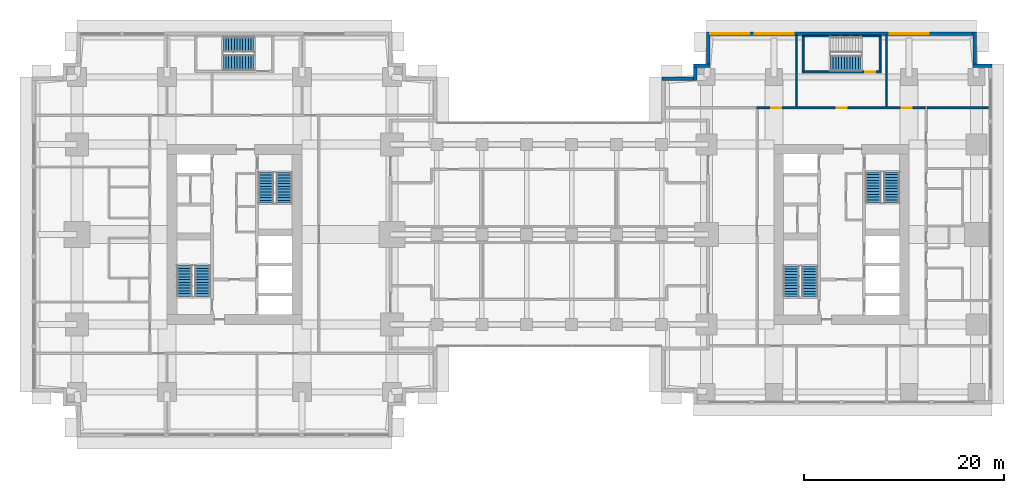
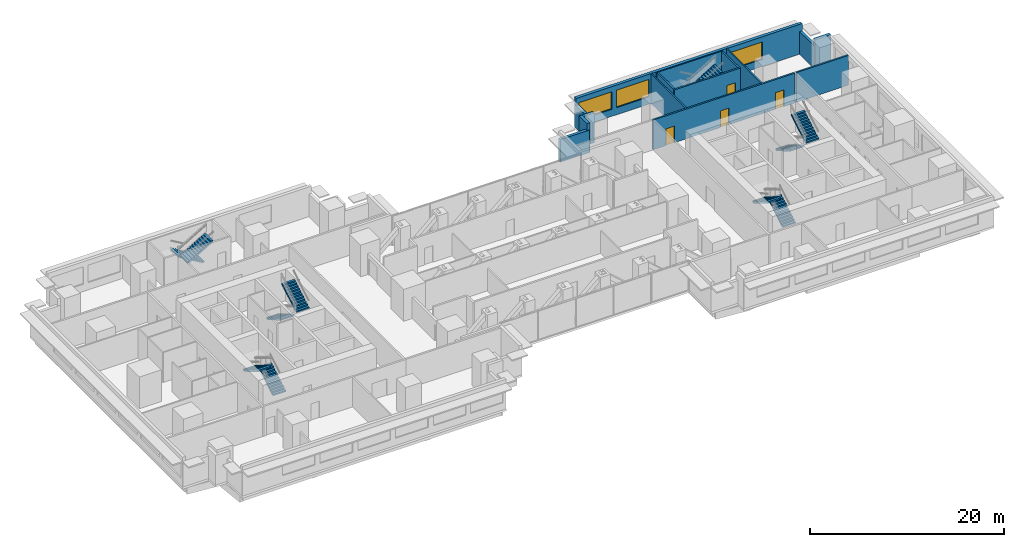
# One storey, part 12 of 16: 15 walls, 11 stair flights, 4 doors, 3 windows, 7 openings, 6 elements without a shape of their own.
"""IFC4 building model written with IfcOpenShell, lengths in metres."""

from ifc_helpers import new_model, si_unit, direction, frame, frame_2d, origin, place, context, subcontext, project, spatial, polyline, rectangle, outline, extrude, material, layer, layer_set, type_object, element, fill, aggregate, save


model = new_model("IFC4")

# Units and contexts
model_context = context("Model", 3, precision=1e-05, world=origin(), true_north=direction((0.0, 1.0)))
body_context = subcontext(model_context, "Body", "Model", "MODEL_VIEW")
ifc_project = project(units=[si_unit("LENGTHUNIT", "METRE"), si_unit("AREAUNIT", "SQUARE_METRE"), si_unit("VOLUMEUNIT", "CUBIC_METRE"), si_unit("PLANEANGLEUNIT", "RADIAN"), si_unit("MASSUNIT", "GRAM", prefix="KILO")], contexts=[model_context])

# Site, building, storey
site_placement = place(None, origin())
site = spatial("IfcSite", under=ifc_project, at=site_placement, CompositionType="ELEMENT")
building_placement = place(site_placement, origin())
building = spatial("IfcBuilding", under=site, at=building_placement, Name="Namib Vertical Campus", CompositionType="ELEMENT")
storey_placement = place(building_placement, frame((0.0, 0.0, 113.0)))
storey = spatial("IfcBuildingStorey", under=building, at=storey_placement, Name="L26", CompositionType="ELEMENT", Elevation=113.0)

# Wall, openings, doors
ifc_material_1 = material(Name="Concrete masonry", Category="masonry")
ifc_layer_1 = layer(ifc_material_1, 0.199951171875)
ifc_layer_set_1 = layer_set([ifc_layer_1], Name="Corridor wall 200")
wall_type_1 = type_object("IfcWallType", Name="Corridor wall 200", PredefinedType="SOLIDWALL", material=ifc_layer_set_1)
wall_1_placement = place(storey_placement, frame((89.35009765625, 32.89990234375, 0.0), z_axis=(0.0, 0.0, 1.0), x_axis=(-1.0, 0.0, 0.0)))
wall_1 = element("IfcWall", 1, at=wall_1_placement, inside=storey, type_object=wall_type_1, Name="Corridor wall B L26 CN", PredefinedType="SOLIDWALL", context=body_context, shape_type="SweptSolid", body=[
    extrude(rectangle(XDim=16.900146484375, YDim=0.199951171875, at=frame_2d((8.4501953125, 0.0))), origin(), (0.0, 0.0, 1.0), 3.75),
])
opening_1_placement = place(wall_1_placement, frame((14.375, 0.0, 0.0)))
opening_1 = element("IfcOpeningElement", 2, at=opening_1_placement, cuts=wall_1, Name="Opening CD1", PredefinedType="OPENING", context=body_context, shape_type="SweptSolid", body=[
    extrude(rectangle(XDim=1.0, YDim=2.10009765625, at=frame_2d((0.5, 1.050048828125))), frame((0.0, 0.10986328125, 0.0), z_axis=(0.0, -1.0, 0.0), x_axis=(1.0, 0.0, 0.0)), (0.0, 0.0, 1.0), 0.219970703125),
])
opening_2_placement = place(wall_1_placement, frame((7.85009765625, 0.0, 0.0)))
opening_2 = element("IfcOpeningElement", 3, at=opening_2_placement, cuts=wall_1, Name="Opening CD1", PredefinedType="OPENING", context=body_context, shape_type="SweptSolid", body=[
    extrude(rectangle(XDim=1.0, YDim=2.10009765625, at=frame_2d((0.5, 1.050048828125))), frame((0.0, 0.10986328125, 0.0), z_axis=(0.0, -1.0, 0.0), x_axis=(1.0, 0.0, 0.0)), (0.0, 0.0, 1.0), 0.219970703125),
])
opening_3_placement = place(wall_1_placement, frame((1.324951171875, 0.0, 0.0)))
opening_3 = element("IfcOpeningElement", 4, at=opening_3_placement, cuts=wall_1, Name="Opening CD1", PredefinedType="OPENING", context=body_context, shape_type="SweptSolid", body=[
    extrude(rectangle(XDim=1.0, YDim=2.10009765625, at=frame_2d((0.5, 1.050048828125))), frame((0.0, 0.10986328125, 0.0), z_axis=(0.0, -1.0, 0.0), x_axis=(1.0, 0.0, 0.0)), (0.0, 0.0, 1.0), 0.219970703125),
])
ifc_material_2 = material(Name="Timber fire door leaf", Category="wood")
door_type_1 = type_object("IfcDoorType", Name="Corridor door 1000x2100 20 min", OperationType="SINGLE_SWING_LEFT", PredefinedType="DOOR", material=ifc_material_2)
door_1_placement = place(opening_1_placement, frame((1.0, 0.0, 0.0), z_axis=(0.0, 0.0, 1.0), x_axis=(-1.0, 0.0, 0.0)))
door_1 = element("IfcDoor", 5, at=door_1_placement, inside=storey, type_object=door_type_1, Name="Door CD1 B26-11", OperationType="SINGLE_SWING_RIGHT", OverallHeight=2.10009765625, OverallWidth=1.0, PredefinedType="DOOR", context=body_context, shape_type="SweptSolid", body=[
    extrude(rectangle(XDim=1.0, YDim=2.10009765625, at=frame_2d((0.5, 1.050048828125))), frame((0.0, 0.02490234375, 0.0), z_axis=(0.0, -1.0, 0.0), x_axis=(1.0, 0.0, 0.0)), (0.0, 0.0, 1.0), 0.050048828125),
])
fill(opening_1, door_1)
door_2_placement = place(opening_2_placement, frame((1.0, 0.0, 0.0), z_axis=(0.0, 0.0, 1.0), x_axis=(-1.0, 0.0, 0.0)))
door_2 = element("IfcDoor", 6, at=door_2_placement, inside=storey, type_object=door_type_1, Name="Door CD1 B26-12", OperationType="SINGLE_SWING_RIGHT", OverallHeight=2.10009765625, OverallWidth=1.0, PredefinedType="DOOR", context=body_context, shape_type="SweptSolid", body=[
    extrude(rectangle(XDim=1.0, YDim=2.10009765625, at=frame_2d((0.5, 1.050048828125))), frame((0.0, 0.02490234375, 0.0), z_axis=(0.0, -1.0, 0.0), x_axis=(1.0, 0.0, 0.0)), (0.0, 0.0, 1.0), 0.050048828125),
])
fill(opening_2, door_2)
door_3_placement = place(opening_3_placement, frame((1.0, 0.0, 0.0), z_axis=(0.0, 0.0, 1.0), x_axis=(-1.0, 0.0, 0.0)))
door_3 = element("IfcDoor", 7, at=door_3_placement, inside=storey, type_object=door_type_1, Name="Door CD1 B26-13", OperationType="SINGLE_SWING_LEFT", OverallHeight=2.10009765625, OverallWidth=1.0, PredefinedType="DOOR", context=body_context, shape_type="SweptSolid", body=[
    extrude(rectangle(XDim=1.0, YDim=2.10009765625, at=frame_2d((0.5, 1.050048828125))), frame((0.0, 0.02490234375, 0.0), z_axis=(0.0, -1.0, 0.0), x_axis=(1.0, 0.0, 0.0)), (0.0, 0.0, 1.0), 0.050048828125),
])
fill(opening_3, door_3)

# Walls
wall_2_placement = place(storey_placement, frame((89.550048828125, 32.89990234375, 0.0), z_axis=(0.0, 0.0, 1.0), x_axis=(1.0, 0.0, 0.0)))
element("IfcWall", 8, at=wall_2_placement, inside=storey, type_object=wall_type_1, Name="Partition B L26 BNE", PredefinedType="SOLIDWALL", context=body_context, shape_type="SweptSolid", body=[
    extrude(rectangle(XDim=6.199951171875, YDim=0.199951171875, at=frame_2d((3.10009765625, 0.0))), origin(), (0.0, 0.0, 1.0), 3.75),
])
ifc_material_3 = material(Name="Concrete C40/50", Category="concrete")
ifc_layer_2 = layer(ifc_material_3, 0.35009765625)
ifc_layer_set_2 = layer_set([ifc_layer_2], Name="Concrete C40/50")
wall_type_2 = type_object("IfcWallType", Name="External wall 350 bush-hammered concrete", PredefinedType="STANDARD", material=ifc_layer_set_2)
wall_3_placement = place(storey_placement, frame((96.030029296875, 37.125, 0.0), z_axis=(0.0, 0.0, 1.0), x_axis=(-1.0, 0.0, 0.0)))
element("IfcWall", 9, at=wall_3_placement, inside=storey, type_object=wall_type_2, Name="External wall L26 F06", PredefinedType="STANDARD", context=body_context, shape_type="SweptSolid", body=[
    extrude(rectangle(XDim=1.860107421875, YDim=0.35009765625, at=frame_2d((0.93017578125, 0.0))), origin(), (0.0, 0.0, 1.0), 3.75),
])
wall_4_placement = place(storey_placement, frame((94.324951171875, 36.969970703125, 0.0), z_axis=(0.0, 0.0, 1.0), x_axis=(0.0, 1.0, 0.0)))
element("IfcWall", 10, at=wall_4_placement, inside=storey, type_object=wall_type_2, Name="External wall L26 F07", PredefinedType="STANDARD", context=body_context, shape_type="SweptSolid", body=[
    extrude(rectangle(XDim=3.510009765625, YDim=0.35009765625, at=frame_2d((1.7548828125, 0.0))), origin(), (0.0, 0.0, 1.0), 2.85009765625),
])

# Wall, openings, windows
wall_5_placement = place(storey_placement, frame((94.47998046875, 40.324951171875, 0.0), z_axis=(0.0, 0.0, 1.0), x_axis=(-1.0, 0.0, 0.0)))
wall_5 = element("IfcWall", 11, at=wall_5_placement, inside=storey, type_object=wall_type_2, Name="External wall L26 F08", PredefinedType="STANDARD", context=body_context, shape_type="SweptSolid", body=[
    extrude(rectangle(XDim=26.9599609375, YDim=0.35009765625, at=frame_2d((13.47998046875, 0.0))), origin(), (0.0, 0.0, 1.0), 3.75),
])
opening_4_placement = place(wall_5_placement, frame((22.7099609375, 0.0, 0.89990234375)))
opening_4 = element("IfcOpeningElement", 12, at=opening_4_placement, cuts=wall_5, Name="Opening W1", PredefinedType="OPENING", context=body_context, shape_type="SweptSolid", body=[
    extrude(rectangle(XDim=3.89990234375, YDim=2.199951171875, at=frame_2d((1.949951171875, 1.10009765625))), frame((0.0, 0.18505859375, 0.0), z_axis=(0.0, -1.0, 0.0), x_axis=(1.0, 0.0, 0.0)), (0.0, 0.0, 1.0), 0.3701171875),
])
opening_5_placement = place(wall_5_placement, frame((18.280029296875, 0.0, 0.89990234375)))
opening_5 = element("IfcOpeningElement", 13, at=opening_5_placement, cuts=wall_5, Name="Opening W1", PredefinedType="OPENING", context=body_context, shape_type="SweptSolid", body=[
    extrude(rectangle(XDim=3.89990234375, YDim=2.199951171875, at=frame_2d((1.949951171875, 1.10009765625))), frame((0.0, 0.18505859375, 0.0), z_axis=(0.0, -1.0, 0.0), x_axis=(1.0, 0.0, 0.0)), (0.0, 0.0, 1.0), 0.3701171875),
])
opening_6_placement = place(wall_5_placement, frame((4.780029296875, 0.0, 0.89990234375)))
opening_6 = element("IfcOpeningElement", 14, at=opening_6_placement, cuts=wall_5, Name="Opening W1", PredefinedType="OPENING", context=body_context, shape_type="SweptSolid", body=[
    extrude(rectangle(XDim=3.89990234375, YDim=2.199951171875, at=frame_2d((1.949951171875, 1.10009765625))), frame((0.0, 0.18505859375, 0.0), z_axis=(0.0, -1.0, 0.0), x_axis=(1.0, 0.0, 0.0)), (0.0, 0.0, 1.0), 0.3701171875),
])
ifc_material_4 = material(Name="Dark tinted glass in black aluminium frame", Category="aluminium")
window_type = type_object("IfcWindowType", Name="Ribbon window 3900x2200", PartitioningType="SINGLE_PANEL", PredefinedType="WINDOW", material=ifc_material_4)
window_1_placement = place(opening_4_placement, origin())
window_1 = element("IfcWindow", 15, at=window_1_placement, inside=storey, type_object=window_type, Name="Window W1 L26 F08-1", OverallHeight=2.199951171875, OverallWidth=3.89990234375, PartitioningType="SINGLE_PANEL", PredefinedType="WINDOW", context=body_context, shape_type="SweptSolid", body=[
    extrude(rectangle(XDim=3.89990234375, YDim=2.199951171875, at=frame_2d((1.949951171875, 1.10009765625))), frame((0.0, 0.030029296875, 0.0), z_axis=(0.0, -1.0, 0.0), x_axis=(1.0, 0.0, 0.0)), (0.0, 0.0, 1.0), 0.06005859375),
])
fill(opening_4, window_1)
window_2_placement = place(opening_5_placement, origin())
window_2 = element("IfcWindow", 16, at=window_2_placement, inside=storey, type_object=window_type, Name="Window W1 L26 F08-2", OverallHeight=2.199951171875, OverallWidth=3.89990234375, PartitioningType="SINGLE_PANEL", PredefinedType="WINDOW", context=body_context, shape_type="SweptSolid", body=[
    extrude(rectangle(XDim=3.89990234375, YDim=2.199951171875, at=frame_2d((1.949951171875, 1.10009765625))), frame((0.0, 0.030029296875, 0.0), z_axis=(0.0, -1.0, 0.0), x_axis=(1.0, 0.0, 0.0)), (0.0, 0.0, 1.0), 0.06005859375),
])
fill(opening_5, window_2)
window_3_placement = place(opening_6_placement, origin())
window_3 = element("IfcWindow", 17, at=window_3_placement, inside=storey, type_object=window_type, Name="Window W1 L26 F08-5", OverallHeight=2.199951171875, OverallWidth=3.89990234375, PartitioningType="SINGLE_PANEL", PredefinedType="WINDOW", context=body_context, shape_type="SweptSolid", body=[
    extrude(rectangle(XDim=3.89990234375, YDim=2.199951171875, at=frame_2d((1.949951171875, 1.10009765625))), frame((0.0, 0.030029296875, 0.0), z_axis=(0.0, -1.0, 0.0), x_axis=(1.0, 0.0, 0.0)), (0.0, 0.0, 1.0), 0.06005859375),
])
fill(opening_6, window_3)

# Walls
wall_6_placement = place(storey_placement, frame((67.675048828125, 40.47998046875, 0.0), z_axis=(0.0, 0.0, 1.0), x_axis=(0.0, -1.0, 0.0)))
element("IfcWall", 18, at=wall_6_placement, inside=storey, type_object=wall_type_2, Name="External wall L26 F09", PredefinedType="STANDARD", context=body_context, shape_type="SweptSolid", body=[
    extrude(rectangle(XDim=3.510009765625, YDim=0.35009765625, at=frame_2d((1.7548828125, 0.0))), origin(), (0.0, 0.0, 1.0), 2.85009765625),
])
for number, where, z_axis, x_axis, name in (
    (19, (67.830078125, 37.125, 0.0), (0.0, 0.0, 1.0), (-1.0, 0.0, 0.0), "External wall L26 F10"),
    (20, (66.375, 37.280029296875, 0.0), (0.0, 0.0, 1.0), (0.0, -1.0, 0.0), "External wall L26 F11"),
):
    element("IfcWall", number, at=place(storey_placement, frame(where, z_axis=z_axis, x_axis=x_axis)), inside=storey, type_object=wall_type_2, Name=name, PredefinedType="STANDARD", context=body_context, shape_type="SweptSolid", body=[
        extrude(rectangle(XDim=1.610107421875, YDim=0.35009765625, at=frame_2d((0.80517578125, 0.0))), origin(), (0.0, 0.0, 1.0), 3.75),
    ])
wall_7_placement = place(storey_placement, frame((66.530029296875, 35.824951171875, 0.0), z_axis=(0.0, 0.0, 1.0), x_axis=(-1.0, 0.0, 0.0)))
element("IfcWall", 21, at=wall_7_placement, inside=storey, type_object=wall_type_2, Name="External wall L26 F12", PredefinedType="STANDARD", context=body_context, shape_type="SweptSolid", body=[
    extrude(rectangle(XDim=3.510009765625, YDim=0.35009765625, at=frame_2d((1.7548828125, 0.0))), origin(), (0.0, 0.0, 1.0), 2.85009765625),
])
ifc_material_5 = material(Name="Gypsum board on steel studs", Category="steel")
ifc_layer_3 = layer(ifc_material_5, 0.14990234375)
ifc_layer_set_3 = layer_set([ifc_layer_3], Name="Gypsum board on steel studs")
wall_type_3 = type_object("IfcWallType", Name="Partition 150", PredefinedType="PARTITIONING", material=ifc_layer_set_3)
for number, where, z_axis, x_axis, name in (
    (22, (76.5, 33.0, 0.0), (0.0, 0.0, 1.0), (0.0, 1.0, 0.0), "Partition B L26 PN1"),
    (23, (85.5, 33.0, 0.0), (0.0, 0.0, 1.0), (0.0, 1.0, 0.0), "Partition B L26 PN2"),
):
    element("IfcWall", number, at=place(storey_placement, frame(where, z_axis=z_axis, x_axis=x_axis)), inside=storey, type_object=wall_type_3, Name=name, PredefinedType="PARTITIONING", context=body_context, shape_type="SweptSolid", body=[
        extrude(rectangle(XDim=7.199951171875, YDim=0.14990234375, at=frame_2d((3.60009765625, 0.0))), origin(), (0.0, 0.0, 1.0), 3.75),
    ])
ifc_material_6 = material(Name="Concrete C40/50", Category="concrete")
ifc_layer_4 = layer(ifc_material_6, 0.14990234375)
ifc_layer_set_4 = layer_set([ifc_layer_4], Name="Concrete C40/50")
wall_type_4 = type_object("IfcWallType", Name="Stair enclosure wall RC 150", PredefinedType="SOLIDWALL", material=ifc_layer_set_4)
wall_8_placement = place(storey_placement, frame((77.050048828125, 40.074951171875, 0.0), z_axis=(0.0, 0.0, 1.0), x_axis=(1.0, 0.0, 0.0)))
element("IfcWall", 24, at=wall_8_placement, inside=storey, type_object=wall_type_4, Name="Stair enclosure wall B-S3 L26 N", PredefinedType="SOLIDWALL", context=body_context, shape_type="SweptSolid", body=[
    extrude(rectangle(XDim=7.89990234375, YDim=0.14990234375, at=frame_2d((3.949951171875, 0.0))), origin(), (0.0, 0.0, 1.0), 3.75),
])

# Wall, opening, door
ifc_material_7 = material(Name="Concrete C40/50", Category="concrete")
ifc_layer_5 = layer(ifc_material_7, 0.199951171875)
ifc_layer_set_5 = layer_set([ifc_layer_5], Name="Concrete C40/50")
wall_type_5 = type_object("IfcWallType", Name="Stair enclosure wall RC 200", PredefinedType="SOLIDWALL", material=ifc_layer_set_5)
wall_9_placement = place(storey_placement, frame((77.050048828125, 36.5, 0.0), z_axis=(0.0, 0.0, 1.0), x_axis=(1.0, 0.0, 0.0)))
wall_9 = element("IfcWall", 25, at=wall_9_placement, inside=storey, type_object=wall_type_5, Name="Stair enclosure wall B-S3 L26 S", PredefinedType="SOLIDWALL", context=body_context, shape_type="SweptSolid", body=[
    extrude(rectangle(XDim=7.89990234375, YDim=0.199951171875, at=frame_2d((3.949951171875, 0.0))), origin(), (0.0, 0.0, 1.0), 3.75),
])
opening_7_placement = place(wall_9_placement, frame((6.300048828125, 0.0, 0.0)))
opening_7 = element("IfcOpeningElement", 26, at=opening_7_placement, cuts=wall_9, Name="Opening FD1", PredefinedType="OPENING", context=body_context, shape_type="SweptSolid", body=[
    extrude(rectangle(XDim=1.0, YDim=2.10009765625, at=frame_2d((0.5, 1.050048828125))), frame((0.0, 0.10986328125, 0.0), z_axis=(0.0, -1.0, 0.0), x_axis=(1.0, 0.0, 0.0)), (0.0, 0.0, 1.0), 0.219970703125),
])
ifc_material_8 = material(Name="Steel fire door", Category="steel")
door_type_2 = type_object("IfcDoorType", Name="Fire door 1000x2100", OperationType="SINGLE_SWING_RIGHT", PredefinedType="DOOR", material=ifc_material_8)
door_4_placement = place(opening_7_placement, origin())
door_4 = element("IfcDoor", 27, at=door_4_placement, inside=storey, type_object=door_type_2, Name="Stair door FD1 B L26 S3", OperationType="SINGLE_SWING_RIGHT", OverallHeight=2.10009765625, OverallWidth=1.0, PredefinedType="DOOR", context=body_context, shape_type="SweptSolid", body=[
    extrude(rectangle(XDim=1.0, YDim=2.10009765625, at=frame_2d((0.5, 1.050048828125))), frame((0.0, 0.02490234375, 0.0), z_axis=(0.0, -1.0, 0.0), x_axis=(1.0, 0.0, 0.0)), (0.0, 0.0, 1.0), 0.050048828125),
])
fill(opening_7, door_4)

# Walls
for number, where, z_axis, x_axis, name in (
    (28, (77.14990234375, 36.60009765625, 0.0), (0.0, 0.0, 1.0), (0.0, 1.0, 0.0), "Stair enclosure wall B-S3 L26 W"),
    (29, (84.85009765625, 36.60009765625, 0.0), (0.0, 0.0, 1.0), (0.0, 1.0, 0.0), "Stair enclosure wall B-S3 L26 E"),
):
    element("IfcWall", number, at=place(storey_placement, frame(where, z_axis=z_axis, x_axis=x_axis)), inside=storey, type_object=wall_type_5, Name=name, PredefinedType="SOLIDWALL", context=body_context, shape_type="SweptSolid", body=[
        extrude(rectangle(XDim=3.39990234375, YDim=0.199951171875, at=frame_2d((1.699951171875, 0.0))), origin(), (0.0, 0.0, 1.0), 3.75),
    ])

# Stair, stair flights
ifc_material_9 = material(Name="Concrete C40/50 precast", Category="concrete")
stair_type_1 = type_object("IfcStairType", Name="Exit stair 4000 rise 24 risers 3350 wide", PredefinedType="HALF_TURN_STAIR", material=ifc_material_9)
stair_1_placement = place(storey_placement, origin())
stair_1 = element("IfcStair", 30, at=stair_1_placement, inside=storey, type_object=stair_type_1, Name="Exit stair A-S1 L26", PredefinedType="HALF_TURN_STAIR")
ifc_material_10 = material(Name="Concrete C40/50 precast", Category="concrete")
stair_flight_type_1 = type_object("IfcStairFlightType", Name="Stair flight 12 risers 167 1525 wide", PredefinedType="STRAIGHT", material=ifc_material_10)
stair_flight_1_placement = place(storey_placement, frame((17.08740234375, 14.050048828125, 0.0), z_axis=(0.0, 0.0, 1.0), x_axis=(0.0, 1.0, 0.0)))
stair_flight_1 = element("IfcStairFlight", 31, at=stair_flight_1_placement, type_object=stair_flight_type_1, Name="A-S1 flight 1", NumberOfRisers=12, NumberOfTreads=11, PredefinedType="STRAIGHT", RiserHeight=0.166666667, TreadLength=0.28, context=body_context, shape_type="SweptSolid", body=[
    extrude(outline(polyline([(0.0, 0.0), (0.0, 0.166748046875), (0.280029296875, 0.166748046875), (0.280029296875, 0.333251953125), (0.56005859375, 0.333251953125), (0.56005859375, 0.5), (0.840087890625, 0.5), (0.840087890625, 0.666748046875), (1.1201171875, 0.666748046875), (1.1201171875, 0.833251953125), (1.39990234375, 0.833251953125), (1.39990234375, 1.0), (1.679931640625, 1.0), (1.679931640625, 1.166748046875), (1.9599609375, 1.166748046875), (1.9599609375, 1.333251953125), (2.239990234375, 1.333251953125), (2.239990234375, 1.5), (2.52001953125, 1.5), (2.52001953125, 1.666748046875), (2.800048828125, 1.666748046875), (2.800048828125, 1.833251953125), (3.080078125, 1.833251953125), (3.080078125, 2.0), (3.080078125, 1.658935546875), (0.29296875, 0.0), (0.0, 0.0)])), frame((0.0, 0.762451171875, 0.0), z_axis=(0.0, -1.0, 0.0), x_axis=(1.0, 0.0, 0.0)), (0.0, 0.0, 1.0), 1.52490234375),
])
stair_flight_2_placement = place(storey_placement, frame((15.262451171875, 17.1298828125, 2.0), z_axis=(0.0, 0.0, 1.0), x_axis=(0.0, -1.0, 0.0)))
stair_flight_2 = element("IfcStairFlight", 32, at=stair_flight_2_placement, type_object=stair_flight_type_1, Name="A-S1 flight 2", NumberOfRisers=12, NumberOfTreads=11, PredefinedType="STRAIGHT", RiserHeight=0.166666667, TreadLength=0.28, context=body_context, shape_type="SweptSolid", body=[
    extrude(outline(polyline([(0.0, 0.0), (0.0, 0.166748046875), (0.280029296875, 0.166748046875), (0.280029296875, 0.333251953125), (0.56005859375, 0.333251953125), (0.56005859375, 0.5), (0.840087890625, 0.5), (0.840087890625, 0.666748046875), (1.1201171875, 0.666748046875), (1.1201171875, 0.833251953125), (1.39990234375, 0.833251953125), (1.39990234375, 1.0), (1.679931640625, 1.0), (1.679931640625, 1.166748046875), (1.9599609375, 1.166748046875), (1.9599609375, 1.333251953125), (2.239990234375, 1.333251953125), (2.239990234375, 1.5), (2.52001953125, 1.5), (2.52001953125, 1.666748046875), (2.800048828125, 1.666748046875), (2.800048828125, 1.833251953125), (3.080078125, 1.833251953125), (3.080078125, 2.0), (3.080078125, 1.658935546875), (0.29296875, 0.0), (0.0, 0.0)])), frame((0.0, 0.762451171875, 0.0), z_axis=(0.0, -1.0, 0.0), x_axis=(1.0, 0.0, 0.0)), (0.0, 0.0, 1.0), 1.52490234375),
])
aggregate(stair_1, [stair_flight_1, stair_flight_2])

stair_2_placement = place(storey_placement, origin())
stair_2 = element("IfcStair", 33, at=stair_2_placement, inside=storey, type_object=stair_type_1, Name="Exit stair A-S2 L26", PredefinedType="HALF_TURN_STAIR")
stair_flight_3_placement = place(storey_placement, frame((23.41259765625, 26.449951171875, 0.0), z_axis=(0.0, 0.0, 1.0), x_axis=(0.0, -1.0, 0.0)))
stair_flight_3 = element("IfcStairFlight", 34, at=stair_flight_3_placement, type_object=stair_flight_type_1, Name="A-S2 flight 1", NumberOfRisers=12, NumberOfTreads=11, PredefinedType="STRAIGHT", RiserHeight=0.166666667, TreadLength=0.28, context=body_context, shape_type="SweptSolid", body=[
    extrude(outline(polyline([(0.0, 0.0), (0.0, 0.166748046875), (0.280029296875, 0.166748046875), (0.280029296875, 0.333251953125), (0.56005859375, 0.333251953125), (0.56005859375, 0.5), (0.840087890625, 0.5), (0.840087890625, 0.666748046875), (1.1201171875, 0.666748046875), (1.1201171875, 0.833251953125), (1.39990234375, 0.833251953125), (1.39990234375, 1.0), (1.679931640625, 1.0), (1.679931640625, 1.166748046875), (1.9599609375, 1.166748046875), (1.9599609375, 1.333251953125), (2.239990234375, 1.333251953125), (2.239990234375, 1.5), (2.52001953125, 1.5), (2.52001953125, 1.666748046875), (2.800048828125, 1.666748046875), (2.800048828125, 1.833251953125), (3.080078125, 1.833251953125), (3.080078125, 2.0), (3.080078125, 1.658935546875), (0.29296875, 0.0), (0.0, 0.0)])), frame((0.0, 0.762451171875, 0.0), z_axis=(0.0, -1.0, 0.0), x_axis=(1.0, 0.0, 0.0)), (0.0, 0.0, 1.0), 1.52490234375),
])
stair_flight_4_placement = place(storey_placement, frame((25.237548828125, 23.3701171875, 2.0), z_axis=(0.0, 0.0, 1.0), x_axis=(0.0, 1.0, 0.0)))
stair_flight_4 = element("IfcStairFlight", 35, at=stair_flight_4_placement, type_object=stair_flight_type_1, Name="A-S2 flight 2", NumberOfRisers=12, NumberOfTreads=11, PredefinedType="STRAIGHT", RiserHeight=0.166666667, TreadLength=0.28, context=body_context, shape_type="SweptSolid", body=[
    extrude(outline(polyline([(0.0, 0.0), (0.0, 0.166748046875), (0.280029296875, 0.166748046875), (0.280029296875, 0.333251953125), (0.56005859375, 0.333251953125), (0.56005859375, 0.5), (0.840087890625, 0.5), (0.840087890625, 0.666748046875), (1.1201171875, 0.666748046875), (1.1201171875, 0.833251953125), (1.39990234375, 0.833251953125), (1.39990234375, 1.0), (1.679931640625, 1.0), (1.679931640625, 1.166748046875), (1.9599609375, 1.166748046875), (1.9599609375, 1.333251953125), (2.239990234375, 1.333251953125), (2.239990234375, 1.5), (2.52001953125, 1.5), (2.52001953125, 1.666748046875), (2.800048828125, 1.666748046875), (2.800048828125, 1.833251953125), (3.080078125, 1.833251953125), (3.080078125, 2.0), (3.080078125, 1.658935546875), (0.29296875, 0.0), (0.0, 0.0)])), frame((0.0, 0.762451171875, 0.0), z_axis=(0.0, -1.0, 0.0), x_axis=(1.0, 0.0, 0.0)), (0.0, 0.0, 1.0), 1.52490234375),
])
aggregate(stair_2, [stair_flight_3, stair_flight_4])

stair_3_placement = place(storey_placement, origin())
stair_3 = element("IfcStair", 36, at=stair_3_placement, inside=storey, type_object=stair_type_1, Name="Exit stair A-S3 L26", PredefinedType="HALF_TURN_STAIR")
stair_flight_5_placement = place(storey_placement, frame((22.199951171875, 39.237548828125, 0.0), z_axis=(0.0, 0.0, 1.0), x_axis=(-1.0, 0.0, 0.0)))
stair_flight_5 = element("IfcStairFlight", 37, at=stair_flight_5_placement, type_object=stair_flight_type_1, Name="A-S3 flight 1", NumberOfRisers=12, NumberOfTreads=11, PredefinedType="STRAIGHT", RiserHeight=0.166666667, TreadLength=0.28, context=body_context, shape_type="SweptSolid", body=[
    extrude(outline(polyline([(0.0, 0.0), (0.0, 0.166748046875), (0.280029296875, 0.166748046875), (0.280029296875, 0.333251953125), (0.56005859375, 0.333251953125), (0.56005859375, 0.5), (0.840087890625, 0.5), (0.840087890625, 0.666748046875), (1.1201171875, 0.666748046875), (1.1201171875, 0.833251953125), (1.39990234375, 0.833251953125), (1.39990234375, 1.0), (1.679931640625, 1.0), (1.679931640625, 1.166748046875), (1.9599609375, 1.166748046875), (1.9599609375, 1.333251953125), (2.239990234375, 1.333251953125), (2.239990234375, 1.5), (2.52001953125, 1.5), (2.52001953125, 1.666748046875), (2.800048828125, 1.666748046875), (2.800048828125, 1.833251953125), (3.080078125, 1.833251953125), (3.080078125, 2.0), (3.080078125, 1.658935546875), (0.29296875, 0.0), (0.0, 0.0)])), frame((0.0, 0.762451171875, 0.0), z_axis=(0.0, -1.0, 0.0), x_axis=(1.0, 0.0, 0.0)), (0.0, 0.0, 1.0), 1.52490234375),
])
stair_flight_6_placement = place(storey_placement, frame((19.1201171875, 37.41259765625, 2.0), z_axis=(0.0, 0.0, 1.0), x_axis=(1.0, 0.0, 0.0)))
stair_flight_6 = element("IfcStairFlight", 38, at=stair_flight_6_placement, type_object=stair_flight_type_1, Name="A-S3 flight 2", NumberOfRisers=12, NumberOfTreads=11, PredefinedType="STRAIGHT", RiserHeight=0.166666667, TreadLength=0.28, context=body_context, shape_type="SweptSolid", body=[
    extrude(outline(polyline([(0.0, 0.0), (0.0, 0.166748046875), (0.280029296875, 0.166748046875), (0.280029296875, 0.333251953125), (0.56005859375, 0.333251953125), (0.56005859375, 0.5), (0.840087890625, 0.5), (0.840087890625, 0.666748046875), (1.1201171875, 0.666748046875), (1.1201171875, 0.833251953125), (1.39990234375, 0.833251953125), (1.39990234375, 1.0), (1.679931640625, 1.0), (1.679931640625, 1.166748046875), (1.9599609375, 1.166748046875), (1.9599609375, 1.333251953125), (2.239990234375, 1.333251953125), (2.239990234375, 1.5), (2.52001953125, 1.5), (2.52001953125, 1.666748046875), (2.800048828125, 1.666748046875), (2.800048828125, 1.833251953125), (3.080078125, 1.833251953125), (3.080078125, 2.0), (3.080078125, 1.658935546875), (0.29296875, 0.0), (0.0, 0.0)])), frame((0.0, 0.762451171875, 0.0), z_axis=(0.0, -1.0, 0.0), x_axis=(1.0, 0.0, 0.0)), (0.0, 0.0, 1.0), 1.52490234375),
])
aggregate(stair_3, [stair_flight_5, stair_flight_6])

ifc_material_11 = material(Name="Concrete C40/50 precast", Category="concrete")
stair_type_2 = type_object("IfcStairType", Name="Exit stair 4000 rise 24 risers 3400 wide", PredefinedType="HALF_TURN_STAIR", material=ifc_material_11)
stair_4_placement = place(storey_placement, origin())
stair_4 = element("IfcStair", 39, at=stair_4_placement, inside=storey, type_object=stair_type_2, Name="Exit stair B-S1 L26", PredefinedType="HALF_TURN_STAIR")
ifc_material_12 = material(Name="Concrete C40/50 precast", Category="concrete")
stair_flight_type_2 = type_object("IfcStairFlightType", Name="Stair flight 12 risers 167 1550 wide", PredefinedType="STRAIGHT", material=ifc_material_12)
stair_flight_7_placement = place(storey_placement, frame((77.824951171875, 14.0, 0.0), z_axis=(0.0, 0.0, 1.0), x_axis=(0.0, 1.0, 0.0)))
stair_flight_7 = element("IfcStairFlight", 40, at=stair_flight_7_placement, type_object=stair_flight_type_2, Name="B-S1 flight 1", NumberOfRisers=12, NumberOfTreads=11, PredefinedType="STRAIGHT", RiserHeight=0.166666667, TreadLength=0.28, context=body_context, shape_type="SweptSolid", body=[
    extrude(outline(polyline([(0.0, 0.0), (0.0, 0.166748046875), (0.280029296875, 0.166748046875), (0.280029296875, 0.333251953125), (0.56005859375, 0.333251953125), (0.56005859375, 0.5), (0.840087890625, 0.5), (0.840087890625, 0.666748046875), (1.1201171875, 0.666748046875), (1.1201171875, 0.833251953125), (1.39990234375, 0.833251953125), (1.39990234375, 1.0), (1.679931640625, 1.0), (1.679931640625, 1.166748046875), (1.9599609375, 1.166748046875), (1.9599609375, 1.333251953125), (2.239990234375, 1.333251953125), (2.239990234375, 1.5), (2.52001953125, 1.5), (2.52001953125, 1.666748046875), (2.800048828125, 1.666748046875), (2.800048828125, 1.833251953125), (3.080078125, 1.833251953125), (3.080078125, 2.0), (3.080078125, 1.658935546875), (0.29296875, 0.0), (0.0, 0.0)])), frame((0.0, 0.77490234375, 0.0), z_axis=(0.0, -1.0, 0.0), x_axis=(1.0, 0.0, 0.0)), (0.0, 0.0, 1.0), 1.550048828125),
])
stair_flight_8_placement = place(storey_placement, frame((75.97509765625, 17.080078125, 2.0), z_axis=(0.0, 0.0, 1.0), x_axis=(0.0, -1.0, 0.0)))
stair_flight_8 = element("IfcStairFlight", 41, at=stair_flight_8_placement, type_object=stair_flight_type_2, Name="B-S1 flight 2", NumberOfRisers=12, NumberOfTreads=11, PredefinedType="STRAIGHT", RiserHeight=0.166666667, TreadLength=0.28, context=body_context, shape_type="SweptSolid", body=[
    extrude(outline(polyline([(0.0, 0.0), (0.0, 0.166748046875), (0.280029296875, 0.166748046875), (0.280029296875, 0.333251953125), (0.56005859375, 0.333251953125), (0.56005859375, 0.5), (0.840087890625, 0.5), (0.840087890625, 0.666748046875), (1.1201171875, 0.666748046875), (1.1201171875, 0.833251953125), (1.39990234375, 0.833251953125), (1.39990234375, 1.0), (1.679931640625, 1.0), (1.679931640625, 1.166748046875), (1.9599609375, 1.166748046875), (1.9599609375, 1.333251953125), (2.239990234375, 1.333251953125), (2.239990234375, 1.5), (2.52001953125, 1.5), (2.52001953125, 1.666748046875), (2.800048828125, 1.666748046875), (2.800048828125, 1.833251953125), (3.080078125, 1.833251953125), (3.080078125, 2.0), (3.080078125, 1.658935546875), (0.29296875, 0.0), (0.0, 0.0)])), frame((0.0, 0.77490234375, 0.0), z_axis=(0.0, -1.0, 0.0), x_axis=(1.0, 0.0, 0.0)), (0.0, 0.0, 1.0), 1.550048828125),
])
aggregate(stair_4, [stair_flight_7, stair_flight_8])

stair_5_placement = place(storey_placement, origin())
stair_5 = element("IfcStair", 42, at=stair_5_placement, inside=storey, type_object=stair_type_2, Name="Exit stair B-S2 L26", PredefinedType="HALF_TURN_STAIR")
stair_flight_9_placement = place(storey_placement, frame((84.175048828125, 26.5, 0.0), z_axis=(0.0, 0.0, 1.0), x_axis=(0.0, -1.0, 0.0)))
stair_flight_9 = element("IfcStairFlight", 43, at=stair_flight_9_placement, type_object=stair_flight_type_2, Name="B-S2 flight 1", NumberOfRisers=12, NumberOfTreads=11, PredefinedType="STRAIGHT", RiserHeight=0.166666667, TreadLength=0.28, context=body_context, shape_type="SweptSolid", body=[
    extrude(outline(polyline([(0.0, 0.0), (0.0, 0.166748046875), (0.280029296875, 0.166748046875), (0.280029296875, 0.333251953125), (0.56005859375, 0.333251953125), (0.56005859375, 0.5), (0.840087890625, 0.5), (0.840087890625, 0.666748046875), (1.1201171875, 0.666748046875), (1.1201171875, 0.833251953125), (1.39990234375, 0.833251953125), (1.39990234375, 1.0), (1.679931640625, 1.0), (1.679931640625, 1.166748046875), (1.9599609375, 1.166748046875), (1.9599609375, 1.333251953125), (2.239990234375, 1.333251953125), (2.239990234375, 1.5), (2.52001953125, 1.5), (2.52001953125, 1.666748046875), (2.800048828125, 1.666748046875), (2.800048828125, 1.833251953125), (3.080078125, 1.833251953125), (3.080078125, 2.0), (3.080078125, 1.658935546875), (0.29296875, 0.0), (0.0, 0.0)])), frame((0.0, 0.77490234375, 0.0), z_axis=(0.0, -1.0, 0.0), x_axis=(1.0, 0.0, 0.0)), (0.0, 0.0, 1.0), 1.550048828125),
])
stair_flight_10_placement = place(storey_placement, frame((86.02490234375, 23.419921875, 2.0), z_axis=(0.0, 0.0, 1.0), x_axis=(0.0, 1.0, 0.0)))
stair_flight_10 = element("IfcStairFlight", 44, at=stair_flight_10_placement, type_object=stair_flight_type_2, Name="B-S2 flight 2", NumberOfRisers=12, NumberOfTreads=11, PredefinedType="STRAIGHT", RiserHeight=0.166666667, TreadLength=0.28, context=body_context, shape_type="SweptSolid", body=[
    extrude(outline(polyline([(0.0, 0.0), (0.0, 0.166748046875), (0.280029296875, 0.166748046875), (0.280029296875, 0.333251953125), (0.56005859375, 0.333251953125), (0.56005859375, 0.5), (0.840087890625, 0.5), (0.840087890625, 0.666748046875), (1.1201171875, 0.666748046875), (1.1201171875, 0.833251953125), (1.39990234375, 0.833251953125), (1.39990234375, 1.0), (1.679931640625, 1.0), (1.679931640625, 1.166748046875), (1.9599609375, 1.166748046875), (1.9599609375, 1.333251953125), (2.239990234375, 1.333251953125), (2.239990234375, 1.5), (2.52001953125, 1.5), (2.52001953125, 1.666748046875), (2.800048828125, 1.666748046875), (2.800048828125, 1.833251953125), (3.080078125, 1.833251953125), (3.080078125, 2.0), (3.080078125, 1.658935546875), (0.29296875, 0.0), (0.0, 0.0)])), frame((0.0, 0.77490234375, 0.0), z_axis=(0.0, -1.0, 0.0), x_axis=(1.0, 0.0, 0.0)), (0.0, 0.0, 1.0), 1.550048828125),
])
aggregate(stair_5, [stair_flight_9, stair_flight_10])

# Stair, stair flight
stair_6_placement = place(storey_placement, origin())
stair_6 = element("IfcStair", 45, at=stair_6_placement, inside=storey, type_object=stair_type_2, Name="Exit stair B-S3 L26", PredefinedType="HALF_TURN_STAIR")
stair_flight_11_placement = place(storey_placement, frame((79.8701171875, 37.375, 2.0), z_axis=(0.0, 0.0, 1.0), x_axis=(1.0, 0.0, 0.0)))
stair_flight_11 = element("IfcStairFlight", 46, at=stair_flight_11_placement, type_object=stair_flight_type_2, Name="B-S3 flight 2", NumberOfRisers=12, NumberOfTreads=11, PredefinedType="STRAIGHT", RiserHeight=0.166666667, TreadLength=0.28, context=body_context, shape_type="SweptSolid", body=[
    extrude(outline(polyline([(0.0, 0.0), (0.0, 0.166748046875), (0.280029296875, 0.166748046875), (0.280029296875, 0.333251953125), (0.56005859375, 0.333251953125), (0.56005859375, 0.5), (0.840087890625, 0.5), (0.840087890625, 0.666748046875), (1.1201171875, 0.666748046875), (1.1201171875, 0.833251953125), (1.39990234375, 0.833251953125), (1.39990234375, 1.0), (1.679931640625, 1.0), (1.679931640625, 1.166748046875), (1.9599609375, 1.166748046875), (1.9599609375, 1.333251953125), (2.239990234375, 1.333251953125), (2.239990234375, 1.5), (2.52001953125, 1.5), (2.52001953125, 1.666748046875), (2.800048828125, 1.666748046875), (2.800048828125, 1.833251953125), (3.080078125, 1.833251953125), (3.080078125, 2.0), (3.080078125, 1.658935546875), (0.29296875, 0.0), (0.0, 0.0)])), frame((0.0, 0.77490234375, 0.0), z_axis=(0.0, -1.0, 0.0), x_axis=(1.0, 0.0, 0.0)), (0.0, 0.0, 1.0), 1.550048828125),
])
aggregate(stair_6, [stair_flight_11])

save(model, "model.ifc")
